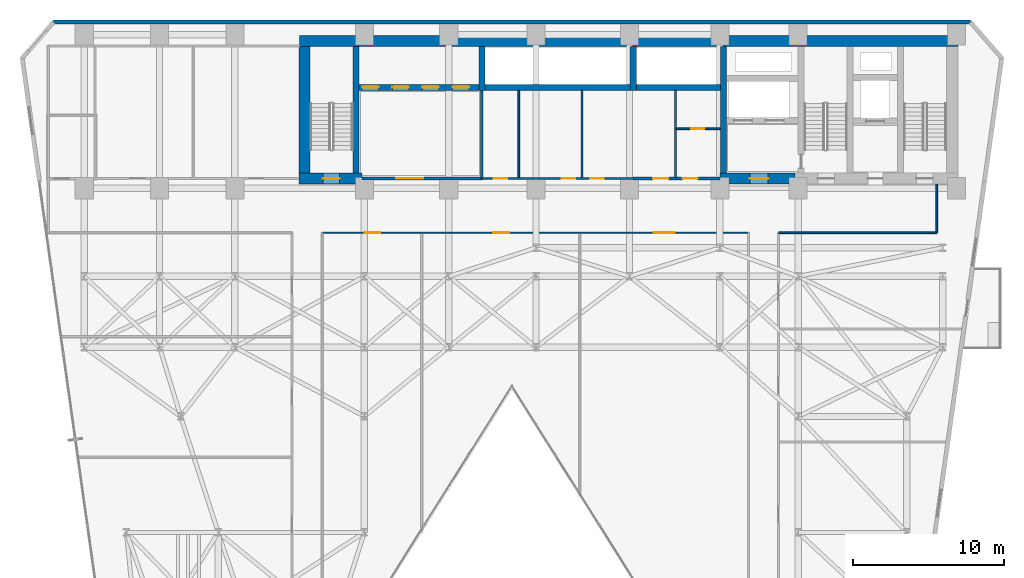
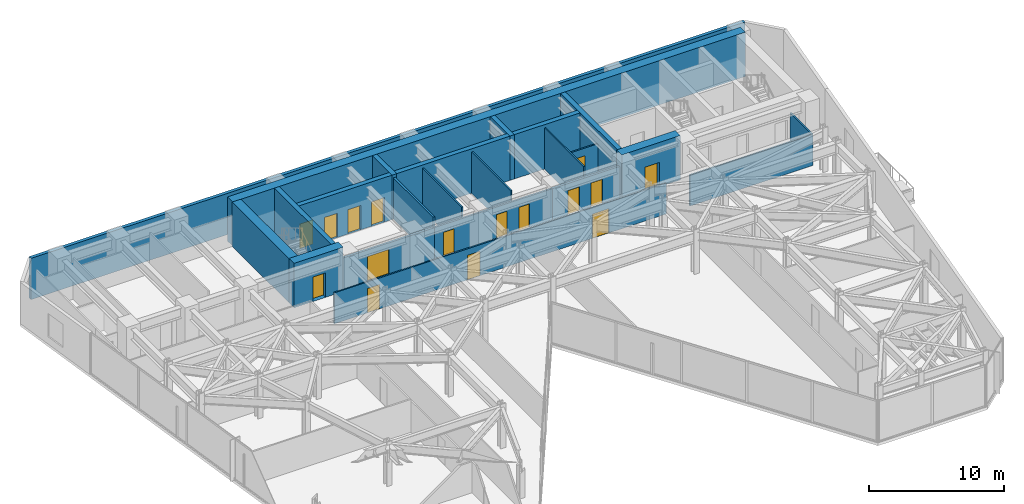
# One storey, part 20 of 25: 23 walls, 16 doors, 16 openings.
"""IFC4 building model written with IfcOpenShell, lengths in metres."""

from ifc_helpers import new_model, si_unit, direction, frame, frame_2d, origin, place, context, subcontext, project, spatial, rectangle, extrude, material, layer, layer_set, type_object, element, fill, save


model = new_model("IFC4")

# Units and contexts
model_context = context("Model", 3, precision=1e-05, world=origin(), true_north=direction((0.0, 1.0)))
body_context = subcontext(model_context, "Body", "Model", "MODEL_VIEW")
ifc_project = project(units=[si_unit("LENGTHUNIT", "METRE"), si_unit("AREAUNIT", "SQUARE_METRE"), si_unit("VOLUMEUNIT", "CUBIC_METRE"), si_unit("PLANEANGLEUNIT", "RADIAN"), si_unit("MASSUNIT", "GRAM", prefix="KILO")], contexts=[model_context])

# Site, building, storey
site_placement = place(None, origin())
site = spatial("IfcSite", under=ifc_project, at=site_placement, CompositionType="ELEMENT")
building_placement = place(site_placement, origin())
building = spatial("IfcBuilding", under=site, at=building_placement, Name="Kravanh Interchange Tower", CompositionType="ELEMENT")
storey_placement = place(building_placement, frame((0.0, 0.0, 81.5)))
storey = spatial("IfcBuildingStorey", under=building, at=storey_placement, Name="L19", CompositionType="ELEMENT", Elevation=81.5)

# Wall
ifc_material_1 = material(Name="Double Acoustic Gypsum Board and Mineral Wool")
ifc_layer_1 = layer(ifc_material_1, 0.1201171875)
ifc_layer_set_1 = layer_set([ifc_layer_1], Name="Acoustic Office Drywall Partition 120mm")
wall_type_1 = type_object("IfcWallType", Name="Acoustic Office Drywall Partition 120mm", PredefinedType="PARTITIONING", material=ifc_layer_set_1)
wall_1_placement = place(storey_placement, frame((47.85009765625, 38.068115234375, 0.0), z_axis=(0.0, 0.0, 1.0), x_axis=(0.0, 1.0, 0.0)))
element("IfcWall", 1, at=wall_1_placement, inside=storey, type_object=wall_type_1, Name="L19 Interior Partition 2", PredefinedType="PARTITIONING", context=body_context, shape_type="SweptSolid", body=[
    extrude(rectangle(XDim=5.77392578125, YDim=0.1201171875, at=frame_2d((2.886962890625, 0.0))), origin(), (0.0, 0.0, 1.0), 3.719970703125),
])

# Wall, opening, door
wall_2_placement = place(storey_placement, frame((47.91796875, 41.300048828125, 0.0), z_axis=(0.0, 0.0, 1.0), x_axis=(1.0, 0.0, 0.0)))
wall_2 = element("IfcWall", 2, at=wall_2_placement, inside=storey, type_object=wall_type_1, Name="L19 Interior Partition 3", PredefinedType="PARTITIONING", context=body_context, shape_type="SweptSolid", body=[
    extrude(rectangle(XDim=2.924072265625, YDim=0.1201171875, at=frame_2d((1.4619140625, 0.0))), origin(), (0.0, 0.0, 1.0), 2.79296875),
])
opening_1_placement = place(wall_2_placement, frame((0.9912109375, 0.0, 0.0)))
opening_1 = element("IfcOpeningElement", 3, at=opening_1_placement, cuts=wall_2, Name="Opening D-85", PredefinedType="OPENING", context=body_context, shape_type="SweptSolid", body=[
    extrude(rectangle(XDim=0.85009765625, YDim=2.10009765625, at=frame_2d((0.425048828125, 1.050048828125))), frame((0.0, 0.070068359375, 0.0), z_axis=(0.0, -1.0, 0.0), x_axis=(1.0, 0.0, 0.0)), (0.0, 0.0, 1.0), 0.14013671875),
])
ifc_material_2 = material(Name="Engineered Teak Veneer Timber", Category="wood")
door_type_1 = type_object("IfcDoorType", Name="En-Suite Timber Door 850x2100", OperationType="NOTDEFINED", PredefinedType="DOOR", material=ifc_material_2)
door_1_placement = place(opening_1_placement, origin())
door_1 = element("IfcDoor", 4, at=door_1_placement, inside=storey, type_object=door_type_1, Name="L19 Core Supply Inner Door", OperationType="SINGLE_SWING_LEFT", OverallHeight=2.10009765625, OverallWidth=0.85009765625, PredefinedType="DOOR", context=body_context, shape_type="SweptSolid", body=[
    extrude(rectangle(XDim=0.85009765625, YDim=2.10009765625, at=frame_2d((0.425048828125, 1.050048828125))), frame((0.0, 0.02490234375, 0.0), z_axis=(0.0, -1.0, 0.0), x_axis=(1.0, 0.0, 0.0)), (0.0, 0.0, 1.0), 0.050048828125),
])
fill(opening_1, door_1)

# Walls
for number, where, z_axis, x_axis, name in (
    (5, (37.449951171875, 38.068115234375, 0.0), (0.0, 0.0, 1.0), (0.0, 1.0, 0.0), "L19 Interior Partition 7"),
    (6, (41.64990234375, 38.068115234375, 0.0), (0.0, 0.0, 1.0), (0.0, 1.0, 0.0), "L19 Interior Partition 8"),
):
    element("IfcWall", number, at=place(storey_placement, frame(where, z_axis=z_axis, x_axis=x_axis)), inside=storey, type_object=wall_type_1, Name=name, PredefinedType="PARTITIONING", context=body_context, shape_type="SweptSolid", body=[
        extrude(rectangle(XDim=5.77392578125, YDim=0.1201171875, at=frame_2d((2.886962890625, 0.0))), origin(), (0.0, 0.0, 1.0), 3.719970703125),
    ])

# Wall, openings, doors
wall_3_placement = place(storey_placement, frame((24.39990234375, 34.39990234375, 0.0), z_axis=(0.0, 0.0, 1.0), x_axis=(1.0, 0.0, 0.0)))
wall_3 = element("IfcWall", 7, at=wall_3_placement, inside=storey, type_object=wall_type_1, Name="L19 Interior Partition 16", PredefinedType="PARTITIONING", context=body_context, shape_type="SweptSolid", body=[
    extrude(rectangle(XDim=28.300048828125, YDim=0.1201171875, at=frame_2d((14.14990234375, 0.0))), origin(), (0.0, 0.0, 1.0), 2.79296875),
])
opening_2_placement = place(wall_3_placement, frame((2.815185546875, 0.0, 0.0)))
opening_2 = element("IfcOpeningElement", 8, at=opening_2_placement, cuts=wall_3, Name="Opening D-105", PredefinedType="OPENING", context=body_context, shape_type="SweptSolid", body=[
    extrude(rectangle(XDim=1.050048828125, YDim=2.199951171875, at=frame_2d((0.52490234375, 1.10009765625))), frame((0.0, 0.070068359375, 0.0), z_axis=(0.0, -1.0, 0.0), x_axis=(1.0, 0.0, 0.0)), (0.0, 0.0, 1.0), 0.14013671875),
])
opening_3_placement = place(wall_3_placement, frame((11.365234375, 0.0, 0.0)))
opening_3 = element("IfcOpeningElement", 9, at=opening_3_placement, cuts=wall_3, Name="Opening D-105", PredefinedType="OPENING", context=body_context, shape_type="SweptSolid", body=[
    extrude(rectangle(XDim=1.050048828125, YDim=2.199951171875, at=frame_2d((0.52490234375, 1.10009765625))), frame((0.0, 0.070068359375, 0.0), z_axis=(0.0, -1.0, 0.0), x_axis=(1.0, 0.0, 0.0)), (0.0, 0.0, 1.0), 0.14013671875),
])
opening_4_placement = place(wall_3_placement, frame((22.0, 0.0, 0.0)))
opening_4 = element("IfcOpeningElement", 10, at=opening_4_placement, cuts=wall_3, Name="Opening DBL-140", PredefinedType="OPENING", context=body_context, shape_type="SweptSolid", body=[
    extrude(rectangle(XDim=1.39990234375, YDim=2.199951171875, at=frame_2d((0.699951171875, 1.10009765625))), frame((0.0, 0.070068359375, 0.0), z_axis=(0.0, -1.0, 0.0), x_axis=(1.0, 0.0, 0.0)), (0.0, 0.0, 1.0), 0.14013671875),
])
ifc_material_3 = material(Name="Acoustic Bronze-Framed Glass", Category="glass")
door_type_2 = type_object("IfcDoorType", Name="Hospitality Lounge Double Door 1400x2200", OperationType="DOUBLE_DOOR_SINGLE_SWING", PredefinedType="DOOR", material=ifc_material_3)
door_2_placement = place(opening_4_placement, origin())
door_2 = element("IfcDoor", 11, at=door_2_placement, inside=storey, type_object=door_type_2, Name="L19 Community Kitchenette Door", OperationType="DOUBLE_DOOR_SINGLE_SWING", OverallHeight=2.199951171875, OverallWidth=1.39990234375, PredefinedType="DOOR", context=body_context, shape_type="SweptSolid", body=[
    extrude(rectangle(XDim=1.39990234375, YDim=2.199951171875, at=frame_2d((0.699951171875, 1.10009765625))), frame((0.0, 0.02490234375, 0.0), z_axis=(0.0, -1.0, 0.0), x_axis=(1.0, 0.0, 0.0)), (0.0, 0.0, 1.0), 0.050048828125),
])
fill(opening_4, door_2)
ifc_material_4 = material(Name="Acoustic Glazed Oak and Aluminium", Category="aluminium")
door_type_3 = type_object("IfcDoorType", Name="Office Workplace Door 1050x2200", OperationType="NOTDEFINED", PredefinedType="DOOR", material=ifc_material_4)
door_3_placement = place(opening_2_placement, origin())
door_3 = element("IfcDoor", 12, at=door_3_placement, inside=storey, type_object=door_type_3, Name="L19 Incubator Commons Lounge Door", OperationType="SINGLE_SWING_RIGHT", OverallHeight=2.199951171875, OverallWidth=1.050048828125, PredefinedType="DOOR", context=body_context, shape_type="SweptSolid", body=[
    extrude(rectangle(XDim=1.050048828125, YDim=2.199951171875, at=frame_2d((0.52490234375, 1.10009765625))), frame((0.0, 0.02490234375, 0.0), z_axis=(0.0, -1.0, 0.0), x_axis=(1.0, 0.0, 0.0)), (0.0, 0.0, 1.0), 0.050048828125),
])
fill(opening_2, door_3)
door_4_placement = place(opening_3_placement, origin())
door_4 = element("IfcDoor", 13, at=door_4_placement, inside=storey, type_object=door_type_3, Name="L19 Portfolio Office Door", OperationType="SINGLE_SWING_LEFT", OverallHeight=2.199951171875, OverallWidth=1.050048828125, PredefinedType="DOOR", context=body_context, shape_type="SweptSolid", body=[
    extrude(rectangle(XDim=1.050048828125, YDim=2.199951171875, at=frame_2d((0.52490234375, 1.10009765625))), frame((0.0, 0.02490234375, 0.0), z_axis=(0.0, -1.0, 0.0), x_axis=(1.0, 0.0, 0.0)), (0.0, 0.0, 1.0), 0.050048828125),
])
fill(opening_3, door_4)

# Walls
wall_4_placement = place(storey_placement, frame((54.699951171875, 34.39990234375, 0.0), z_axis=(0.0, 0.0, 1.0), x_axis=(1.0, 0.0, 0.0)))
element("IfcWall", 14, at=wall_4_placement, inside=storey, type_object=wall_type_1, Name="L19 Interior Partition 17", PredefinedType="PARTITIONING", context=body_context, shape_type="SweptSolid", body=[
    extrude(rectangle(XDim=10.5, YDim=0.1201171875, at=frame_2d((5.25, 0.0))), origin(), (0.0, 0.0, 1.0), 2.79296875),
])
wall_5_placement = place(storey_placement, frame((65.199951171875, 34.39990234375, 0.0), z_axis=(0.0, 0.0, 1.0), x_axis=(0.0, 1.0, 0.0)))
element("IfcWall", 15, at=wall_5_placement, inside=storey, type_object=wall_type_1, Name="L19 Interior Partition 19", PredefinedType="PARTITIONING", context=body_context, shape_type="SweptSolid", body=[
    extrude(rectangle(XDim=3.217041015625, YDim=0.1201171875, at=frame_2d((1.6083984375, 0.0))), origin(), (0.0, 0.0, 1.0), 2.79296875),
])
ifc_material_5 = material(Name="Concrete C80/95", Category="concrete")
ifc_layer_2 = layer(ifc_material_5, 0.39990234375)
ifc_layer_set_2 = layer_set([ifc_layer_2], Name="Core Shear Wall Concrete C80/95 400mm")
wall_type_2 = type_object("IfcWallType", Name="Core Shear Wall Concrete C80/95 400mm", PredefinedType="SHEAR", material=ifc_layer_set_2)
wall_6_placement = place(storey_placement, frame((51.050048828125, 38.375, 0.0), z_axis=(0.0, 0.0, 1.0), x_axis=(0.0, 1.0, 0.0)))
element("IfcWall", 16, at=wall_6_placement, inside=storey, type_object=wall_type_2, Name="L19 Firefighting Lobby West Wall", PredefinedType="SHEAR", context=body_context, shape_type="SweptSolid", body=[
    extrude(rectangle(XDim=8.375, YDim=0.39990234375, at=frame_2d((4.1875, 0.0))), origin(), (0.0, 0.0, 1.0), 4.0),
])
wall_7_placement = place(storey_placement, frame((45.25, 44.050048828125, 0.0), z_axis=(0.0, 0.0, 1.0), x_axis=(1.0, 0.0, 0.0)))
element("IfcWall", 17, at=wall_7_placement, inside=storey, type_object=wall_type_2, Name="L19 High-Rise Lift Shaft South Wall", PredefinedType="SHEAR", context=body_context, shape_type="SweptSolid", body=[
    extrude(rectangle(XDim=5.60009765625, YDim=0.39990234375, at=frame_2d((2.800048828125, 0.0))), origin(), (0.0, 0.0, 1.0), 4.0),
])
wall_8_placement = place(storey_placement, frame((45.050048828125, 43.85009765625, 0.0), z_axis=(0.0, 0.0, 1.0), x_axis=(0.0, 1.0, 0.0)))
element("IfcWall", 18, at=wall_8_placement, inside=storey, type_object=wall_type_2, Name="L19 High-Rise Lift Shaft West Wall", PredefinedType="SHEAR", context=body_context, shape_type="SweptSolid", body=[
    extrude(rectangle(XDim=2.89990234375, YDim=0.39990234375, at=frame_2d((1.449951171875, 0.0))), origin(), (0.0, 0.0, 1.0), 4.0),
])
wall_9_placement = place(storey_placement, frame((35.199951171875, 44.050048828125, 0.0), z_axis=(0.0, 0.0, 1.0), x_axis=(1.0, 0.0, 0.0)))
element("IfcWall", 19, at=wall_9_placement, inside=storey, type_object=wall_type_2, Name="L19 Mid-Rise Lift Shaft South Wall", PredefinedType="SHEAR", context=body_context, shape_type="SweptSolid", body=[
    extrude(rectangle(XDim=9.650146484375, YDim=0.39990234375, at=frame_2d((4.8251953125, 0.0))), origin(), (0.0, 0.0, 1.0), 4.0),
])
wall_10_placement = place(storey_placement, frame((35.0, 43.85009765625, 0.0), z_axis=(0.0, 0.0, 1.0), x_axis=(0.0, 1.0, 0.0)))
element("IfcWall", 20, at=wall_10_placement, inside=storey, type_object=wall_type_2, Name="L19 Mid-Rise Lift Shaft West Wall", PredefinedType="SHEAR", context=body_context, shape_type="SweptSolid", body=[
    extrude(rectangle(XDim=2.89990234375, YDim=0.39990234375, at=frame_2d((1.449951171875, 0.0))), origin(), (0.0, 0.0, 1.0), 4.0),
])

# Wall, openings, doors
wall_11_placement = place(storey_placement, frame((26.85009765625, 44.050048828125, 0.0), z_axis=(0.0, 0.0, 1.0), x_axis=(1.0, 0.0, 0.0)))
wall_11 = element("IfcWall", 21, at=wall_11_placement, inside=storey, type_object=wall_type_2, Name="L19 Low-Rise Lift Shaft South Wall", PredefinedType="SHEAR", context=body_context, shape_type="SweptSolid", body=[
    extrude(rectangle(XDim=7.949951171875, YDim=0.39990234375, at=frame_2d((3.97509765625, 0.0))), origin(), (0.0, 0.0, 1.0), 4.0),
])
opening_5_placement = place(wall_11_placement, frame((0.199951171875, 0.0, 0.0)))
opening_5 = element("IfcOpeningElement", 22, at=opening_5_placement, cuts=wall_11, Name="Opening LD01", PredefinedType="OPENING", context=body_context, shape_type="SweptSolid", body=[
    extrude(rectangle(XDim=1.10009765625, YDim=2.199951171875, at=frame_2d((0.550048828125, 1.10009765625))), frame((0.0, 0.2099609375, 0.0), z_axis=(0.0, -1.0, 0.0), x_axis=(1.0, 0.0, 0.0)), (0.0, 0.0, 1.0), 0.419921875),
])
opening_6_placement = place(wall_11_placement, frame((2.199951171875, 0.0, 0.0)))
opening_6 = element("IfcOpeningElement", 23, at=opening_6_placement, cuts=wall_11, Name="Opening LD01", PredefinedType="OPENING", context=body_context, shape_type="SweptSolid", body=[
    extrude(rectangle(XDim=1.10009765625, YDim=2.199951171875, at=frame_2d((0.550048828125, 1.10009765625))), frame((0.0, 0.2099609375, 0.0), z_axis=(0.0, -1.0, 0.0), x_axis=(1.0, 0.0, 0.0)), (0.0, 0.0, 1.0), 0.419921875),
])
opening_7_placement = place(wall_11_placement, frame((4.199951171875, 0.0, 0.0)))
opening_7 = element("IfcOpeningElement", 24, at=opening_7_placement, cuts=wall_11, Name="Opening LD01", PredefinedType="OPENING", context=body_context, shape_type="SweptSolid", body=[
    extrude(rectangle(XDim=1.10009765625, YDim=2.199951171875, at=frame_2d((0.550048828125, 1.10009765625))), frame((0.0, 0.2099609375, 0.0), z_axis=(0.0, -1.0, 0.0), x_axis=(1.0, 0.0, 0.0)), (0.0, 0.0, 1.0), 0.419921875),
])
opening_8_placement = place(wall_11_placement, frame((6.199951171875, 0.0, 0.0)))
opening_8 = element("IfcOpeningElement", 25, at=opening_8_placement, cuts=wall_11, Name="Opening LD01", PredefinedType="OPENING", context=body_context, shape_type="SweptSolid", body=[
    extrude(rectangle(XDim=1.10009765625, YDim=2.199951171875, at=frame_2d((0.550048828125, 1.10009765625))), frame((0.0, 0.2099609375, 0.0), z_axis=(0.0, -1.0, 0.0), x_axis=(1.0, 0.0, 0.0)), (0.0, 0.0, 1.0), 0.419921875),
])
ifc_material_6 = material(Name="Stainless Steel 304", Category="steel")
door_type_4 = type_object("IfcDoorType", Name="Passenger Lift Sliding Landing Door 1100x2200", OperationType="DOUBLE_DOOR_SLIDING", PredefinedType="DOOR", material=ifc_material_6)
door_5_placement = place(opening_5_placement, origin())
door_5 = element("IfcDoor", 26, at=door_5_placement, inside=storey, type_object=door_type_4, Name="L19 Lift LP-L1 Landing Door", OperationType="DOUBLE_DOOR_SLIDING", OverallHeight=2.199951171875, OverallWidth=1.10009765625, PredefinedType="DOOR", context=body_context, shape_type="SweptSolid", body=[
    extrude(rectangle(XDim=1.10009765625, YDim=2.199951171875, at=frame_2d((0.550048828125, 1.10009765625))), frame((0.0, 0.02490234375, 0.0), z_axis=(0.0, -1.0, 0.0), x_axis=(1.0, 0.0, 0.0)), (0.0, 0.0, 1.0), 0.050048828125),
])
fill(opening_5, door_5)
door_6_placement = place(opening_6_placement, origin())
door_6 = element("IfcDoor", 27, at=door_6_placement, inside=storey, type_object=door_type_4, Name="L19 Lift LP-L2 Landing Door", OperationType="DOUBLE_DOOR_SLIDING", OverallHeight=2.199951171875, OverallWidth=1.10009765625, PredefinedType="DOOR", context=body_context, shape_type="SweptSolid", body=[
    extrude(rectangle(XDim=1.10009765625, YDim=2.199951171875, at=frame_2d((0.550048828125, 1.10009765625))), frame((0.0, 0.02490234375, 0.0), z_axis=(0.0, -1.0, 0.0), x_axis=(1.0, 0.0, 0.0)), (0.0, 0.0, 1.0), 0.050048828125),
])
fill(opening_6, door_6)
door_7_placement = place(opening_7_placement, origin())
door_7 = element("IfcDoor", 28, at=door_7_placement, inside=storey, type_object=door_type_4, Name="L19 Lift LP-L3 Landing Door", OperationType="DOUBLE_DOOR_SLIDING", OverallHeight=2.199951171875, OverallWidth=1.10009765625, PredefinedType="DOOR", context=body_context, shape_type="SweptSolid", body=[
    extrude(rectangle(XDim=1.10009765625, YDim=2.199951171875, at=frame_2d((0.550048828125, 1.10009765625))), frame((0.0, 0.02490234375, 0.0), z_axis=(0.0, -1.0, 0.0), x_axis=(1.0, 0.0, 0.0)), (0.0, 0.0, 1.0), 0.050048828125),
])
fill(opening_7, door_7)
door_8_placement = place(opening_8_placement, origin())
door_8 = element("IfcDoor", 29, at=door_8_placement, inside=storey, type_object=door_type_4, Name="L19 Lift LP-L4 Landing Door", OperationType="DOUBLE_DOOR_SLIDING", OverallHeight=2.199951171875, OverallWidth=1.10009765625, PredefinedType="DOOR", context=body_context, shape_type="SweptSolid", body=[
    extrude(rectangle(XDim=1.10009765625, YDim=2.199951171875, at=frame_2d((0.550048828125, 1.10009765625))), frame((0.0, 0.02490234375, 0.0), z_axis=(0.0, -1.0, 0.0), x_axis=(1.0, 0.0, 0.0)), (0.0, 0.0, 1.0), 0.050048828125),
])
fill(opening_8, door_8)

# Walls
wall_12_placement = place(storey_placement, frame((26.64990234375, 38.375, 0.0), z_axis=(0.0, 0.0, 1.0), x_axis=(0.0, 1.0, 0.0)))
element("IfcWall", 30, at=wall_12_placement, inside=storey, type_object=wall_type_2, Name="L19 Stair ST3 East Shear Wall", PredefinedType="SHEAR", context=body_context, shape_type="SweptSolid", body=[
    extrude(rectangle(XDim=8.375, YDim=0.39990234375, at=frame_2d((4.1875, 0.0))), origin(), (0.0, 0.0, 1.0), 4.0),
])
ifc_material_7 = material(Name="Concrete C80/95", Category="concrete")
ifc_layer_3 = layer(ifc_material_7, 0.75)
ifc_layer_set_3 = layer_set([ifc_layer_3], Name="Core Shear Wall Concrete C80/95 750mm")
wall_type_3 = type_object("IfcWallType", Name="Core Shear Wall Concrete C80/95 750mm", PredefinedType="SHEAR", material=ifc_layer_set_3)
wall_13_placement = place(storey_placement, frame((22.89990234375, 47.125, 0.0), z_axis=(0.0, 0.0, 1.0), x_axis=(1.0, 0.0, 0.0)))
element("IfcWall", 31, at=wall_13_placement, inside=storey, type_object=wall_type_3, Name="L19 North Core Shear Wall", PredefinedType="SHEAR", context=body_context, shape_type="SweptSolid", body=[
    extrude(rectangle(XDim=43.7001953125, YDim=0.75, at=frame_2d((21.85009765625, 0.0))), origin(), (0.0, 0.0, 1.0), 4.0),
])

# Wall, opening, door
wall_14_placement = place(storey_placement, frame((50.800048828125, 38.0, 0.0), z_axis=(0.0, 0.0, 1.0), x_axis=(1.0, 0.0, 0.0)))
wall_14 = element("IfcWall", 32, at=wall_14_placement, inside=storey, type_object=wall_type_3, Name="L19 Firefighting Lobby South Shear Wall", PredefinedType="SHEAR", context=body_context, shape_type="SweptSolid", body=[
    extrude(rectangle(XDim=5.0, YDim=0.75, at=frame_2d((2.5, 0.0))), origin(), (0.0, 0.0, 1.0), 4.0),
])
opening_9_placement = place(wall_14_placement, frame((2.0, 0.0, 0.0)))
opening_9 = element("IfcOpeningElement", 33, at=opening_9_placement, cuts=wall_14, Name="Opening D-FSAE-120", PredefinedType="OPENING", context=body_context, shape_type="SweptSolid", body=[
    extrude(rectangle(XDim=1.199951171875, YDim=2.199951171875, at=frame_2d((0.60009765625, 1.10009765625))), frame((0.0, 0.385009765625, 0.0), z_axis=(0.0, -1.0, 0.0), x_axis=(1.0, 0.0, 0.0)), (0.0, 0.0, 1.0), 0.77001953125),
])
ifc_material_8 = material(Name="Structural Steel S355", Category="steel")
door_type_5 = type_object("IfcDoorType", Name="Fire-Rated Refuge and FSAE Door 1200x2200", OperationType="NOTDEFINED", PredefinedType="DOOR", material=ifc_material_8)
door_9_placement = place(opening_9_placement, origin())
door_9 = element("IfcDoor", 34, at=door_9_placement, inside=storey, type_object=door_type_5, Name="L19 Firefighting Lobby Corridor Door", OperationType="SINGLE_SWING_RIGHT", OverallHeight=2.199951171875, OverallWidth=1.199951171875, PredefinedType="DOOR", context=body_context, shape_type="SweptSolid", body=[
    extrude(rectangle(XDim=1.199951171875, YDim=2.199951171875, at=frame_2d((0.60009765625, 1.10009765625))), frame((0.0, 0.02490234375, 0.0), z_axis=(0.0, -1.0, 0.0), x_axis=(1.0, 0.0, 0.0)), (0.0, 0.0, 1.0), 0.050048828125),
])
fill(opening_9, door_9)

wall_15_placement = place(storey_placement, frame((22.85009765625, 38.0, 0.0), z_axis=(0.0, 0.0, 1.0), x_axis=(1.0, 0.0, 0.0)))
wall_15 = element("IfcWall", 35, at=wall_15_placement, inside=storey, type_object=wall_type_3, Name="L19 Stair ST3 South Shear Wall", PredefinedType="SHEAR", context=body_context, shape_type="SweptSolid", body=[
    extrude(rectangle(XDim=4.199951171875, YDim=0.75, at=frame_2d((2.10009765625, 0.0))), origin(), (0.0, 0.0, 1.0), 4.0),
])
opening_10_placement = place(wall_15_placement, frame((1.60009765625, 0.0, 0.0)))
opening_10 = element("IfcOpeningElement", 36, at=opening_10_placement, cuts=wall_15, Name="Opening D-STAIR-110", PredefinedType="OPENING", context=body_context, shape_type="SweptSolid", body=[
    extrude(rectangle(XDim=1.10009765625, YDim=2.199951171875, at=frame_2d((0.550048828125, 1.10009765625))), frame((0.0, 0.385009765625, 0.0), z_axis=(0.0, -1.0, 0.0), x_axis=(1.0, 0.0, 0.0)), (0.0, 0.0, 1.0), 0.77001953125),
])
ifc_material_9 = material(Name="Structural Steel S355", Category="steel")
door_type_6 = type_object("IfcDoorType", Name="Fire-Rated Exit Stair Door 1100x2200", OperationType="NOTDEFINED", PredefinedType="DOOR", material=ifc_material_9)
door_10_placement = place(opening_10_placement, origin())
door_10 = element("IfcDoor", 37, at=door_10_placement, inside=storey, type_object=door_type_6, Name="L19 Exit Stair ST3 Door", OperationType="SINGLE_SWING_RIGHT", OverallHeight=2.199951171875, OverallWidth=1.10009765625, PredefinedType="DOOR", context=body_context, shape_type="SweptSolid", body=[
    extrude(rectangle(XDim=1.10009765625, YDim=2.199951171875, at=frame_2d((0.550048828125, 1.10009765625))), frame((0.0, 0.02490234375, 0.0), z_axis=(0.0, -1.0, 0.0), x_axis=(1.0, 0.0, 0.0)), (0.0, 0.0, 1.0), 0.050048828125),
])
fill(opening_10, door_10)

# Walls
wall_16_placement = place(storey_placement, frame((23.22509765625, 38.375, 0.0), z_axis=(0.0, 0.0, 1.0), x_axis=(0.0, 1.0, 0.0)))
element("IfcWall", 38, at=wall_16_placement, inside=storey, type_object=wall_type_3, Name="L19 Stair ST3 West Shear Wall", PredefinedType="SHEAR", context=body_context, shape_type="SweptSolid", body=[
    extrude(rectangle(XDim=8.375, YDim=0.75, at=frame_2d((4.1875, 0.0))), origin(), (0.0, 0.0, 1.0), 4.0),
])
ifc_material_10 = material(Name="Insulated Precast Concrete C40/50 with Bronze Cladding", Category="concrete")
ifc_layer_4 = layer(ifc_material_10, 0.280029296875)
ifc_layer_set_4 = layer_set([ifc_layer_4], Name="Exterior Insulated Concrete C40/50 Bronze Spandrel Wall 280mm")
wall_type_4 = type_object("IfcWallType", Name="Exterior Insulated Concrete C40/50 Bronze Spandrel Wall 280mm", PredefinedType="STANDARD", material=ifc_layer_set_4)
wall_17_placement = place(storey_placement, frame((6.5546875, 48.3798828125, 0.0), z_axis=(0.0, 0.0, 1.0), x_axis=(1.0, 0.0, 0.0)))
element("IfcWall", 39, at=wall_17_placement, inside=storey, type_object=wall_type_4, Name="L19 Exterior Wall 3", PredefinedType="STANDARD", context=body_context, shape_type="SweptSolid", body=[
    extrude(rectangle(XDim=60.890625, YDim=0.280029296875, at=frame_2d((30.4453125, 0.0))), origin(), (0.0, 0.0, 1.0), 3.719970703125),
])

# Wall, openings, doors
ifc_material_11 = material(Name="Autoclaved Aerated Concrete C30/37 Blockwork", Category="masonry")
ifc_layer_5 = layer(ifc_material_11, 0.179931640625)
ifc_layer_set_5 = layer_set([ifc_layer_5], Name="Fire-Rated Lobby and Corridor Wall Concrete C30/37 180mm")
wall_type_5 = type_object("IfcWallType", Name="Fire-Rated Lobby and Corridor Wall Concrete C30/37 180mm", PredefinedType="STANDARD", material=ifc_layer_set_5)
wall_18_placement = place(storey_placement, frame((45.050048828125, 38.0, 0.0), z_axis=(0.0, 0.0, 1.0), x_axis=(1.0, 0.0, 0.0)))
wall_18 = element("IfcWall", 40, at=wall_18_placement, inside=storey, type_object=wall_type_5, Name="L19 Core South Enclosure 1", PredefinedType="STANDARD", context=body_context, shape_type="SweptSolid", body=[
    extrude(rectangle(XDim=5.75, YDim=0.179931640625, at=frame_2d((2.875, 0.0))), origin(), (0.0, 0.0, 1.0), 2.79296875),
])
opening_11_placement = place(wall_18_placement, frame((1.324951171875, 0.0, 0.0)))
opening_11 = element("IfcOpeningElement", 41, at=opening_11_placement, cuts=wall_18, Name="Opening D-HOTEL-100", PredefinedType="OPENING", context=body_context, shape_type="SweptSolid", body=[
    extrude(rectangle(XDim=1.0, YDim=2.14990234375, at=frame_2d((0.5, 1.074951171875))), frame((0.0, 0.10009765625, 0.0), z_axis=(0.0, -1.0, 0.0), x_axis=(1.0, 0.0, 0.0)), (0.0, 0.0, 1.0), 0.199951171875),
])
opening_12_placement = place(wall_18_placement, frame((3.27490234375, 0.0, 0.0)))
opening_12 = element("IfcOpeningElement", 42, at=opening_12_placement, cuts=wall_18, Name="Opening D-HOTEL-100", PredefinedType="OPENING", context=body_context, shape_type="SweptSolid", body=[
    extrude(rectangle(XDim=1.0, YDim=2.14990234375, at=frame_2d((0.5, 1.074951171875))), frame((0.0, 0.10009765625, 0.0), z_axis=(0.0, -1.0, 0.0), x_axis=(1.0, 0.0, 0.0)), (0.0, 0.0, 1.0), 0.199951171875),
])
ifc_material_12 = material(Name="Fire-Rated Solid Timber Leaf", Category="wood")
door_type_7 = type_object("IfcDoorType", Name="Fire-Rated Suite Entrance Door 1000x2150", OperationType="NOTDEFINED", PredefinedType="DOOR", material=ifc_material_12)
door_11_placement = place(opening_11_placement, origin())
door_11 = element("IfcDoor", 43, at=door_11_placement, inside=storey, type_object=door_type_7, Name="L19 Core Metering Door", OperationType="SINGLE_SWING_LEFT", OverallHeight=2.14990234375, OverallWidth=1.0, PredefinedType="DOOR", context=body_context, shape_type="SweptSolid", body=[
    extrude(rectangle(XDim=1.0, YDim=2.14990234375, at=frame_2d((0.5, 1.074951171875))), frame((0.0, 0.02490234375, 0.0), z_axis=(0.0, -1.0, 0.0), x_axis=(1.0, 0.0, 0.0)), (0.0, 0.0, 1.0), 0.050048828125),
])
fill(opening_11, door_11)
door_12_placement = place(opening_12_placement, origin())
door_12 = element("IfcDoor", 44, at=door_12_placement, inside=storey, type_object=door_type_7, Name="L19 Core Copy Room Door", OperationType="SINGLE_SWING_RIGHT", OverallHeight=2.14990234375, OverallWidth=1.0, PredefinedType="DOOR", context=body_context, shape_type="SweptSolid", body=[
    extrude(rectangle(XDim=1.0, YDim=2.14990234375, at=frame_2d((0.5, 1.074951171875))), frame((0.0, 0.02490234375, 0.0), z_axis=(0.0, -1.0, 0.0), x_axis=(1.0, 0.0, 0.0)), (0.0, 0.0, 1.0), 0.050048828125),
])
fill(opening_12, door_12)

# Wall
wall_19_placement = place(storey_placement, frame((35.0, 38.0, 0.0), z_axis=(0.0, 0.0, 1.0), x_axis=(0.0, 1.0, 0.0)))
element("IfcWall", 45, at=wall_19_placement, inside=storey, type_object=wall_type_5, Name="L19 Low-Rise Lobby East Wall 4", PredefinedType="STANDARD", context=body_context, shape_type="SweptSolid", body=[
    extrude(rectangle(XDim=5.85009765625, YDim=0.179931640625, at=frame_2d((2.925048828125, 0.0))), origin(), (0.0, 0.0, 1.0), 3.719970703125),
])

# Wall, opening, door
wall_20_placement = place(storey_placement, frame((27.050048828125, 38.0, 0.0), z_axis=(0.0, 0.0, 1.0), x_axis=(1.0, 0.0, 0.0)))
wall_20 = element("IfcWall", 46, at=wall_20_placement, inside=storey, type_object=wall_type_5, Name="L19 Low-Rise Lobby South Wall 5", PredefinedType="STANDARD", context=body_context, shape_type="SweptSolid", body=[
    extrude(rectangle(XDim=7.949951171875, YDim=0.179931640625, at=frame_2d((3.97509765625, 0.0))), origin(), (0.0, 0.0, 1.0), 2.79296875),
])
opening_13_placement = place(wall_20_placement, frame((2.25, 0.0, 0.0)))
opening_13 = element("IfcOpeningElement", 47, at=opening_13_placement, cuts=wall_20, Name="Opening DBL-180", PredefinedType="OPENING", context=body_context, shape_type="SweptSolid", body=[
    extrude(rectangle(XDim=1.800048828125, YDim=2.199951171875, at=frame_2d((0.89990234375, 1.10009765625))), frame((0.0, 0.10009765625, 0.0), z_axis=(0.0, -1.0, 0.0), x_axis=(1.0, 0.0, 0.0)), (0.0, 0.0, 1.0), 0.199951171875),
])
ifc_material_13 = material(Name="Structural Steel S355", Category="steel")
door_type_8 = type_object("IfcDoorType", Name="Lift Lobby Double Fire Door 1800x2200", OperationType="DOUBLE_DOOR_SINGLE_SWING", PredefinedType="DOOR", material=ifc_material_13)
door_13_placement = place(opening_13_placement, origin())
door_13 = element("IfcDoor", 48, at=door_13_placement, inside=storey, type_object=door_type_8, Name="L19 Low-Rise Lift Lobby Door", OperationType="DOUBLE_DOOR_SINGLE_SWING", OverallHeight=2.199951171875, OverallWidth=1.800048828125, PredefinedType="DOOR", context=body_context, shape_type="SweptSolid", body=[
    extrude(rectangle(XDim=1.800048828125, YDim=2.199951171875, at=frame_2d((0.89990234375, 1.10009765625))), frame((0.0, 0.02490234375, 0.0), z_axis=(0.0, -1.0, 0.0), x_axis=(1.0, 0.0, 0.0)), (0.0, 0.0, 1.0), 0.050048828125),
])
fill(opening_13, door_13)

# Wall, openings, doors
ifc_material_14 = material(Name="Twin Stud Acoustic Gypsum Board Wall")
ifc_layer_6 = layer(ifc_material_14, 0.14990234375)
ifc_layer_set_6 = layer_set([ifc_layer_6], Name="Medium-Duty Acoustic Partition 150mm")
wall_type_6 = type_object("IfcWallType", Name="Medium-Duty Acoustic Partition 150mm", PredefinedType="PARTITIONING", material=ifc_layer_set_6)
wall_21_placement = place(storey_placement, frame((35.0, 38.0, 0.0), z_axis=(0.0, 0.0, 1.0), x_axis=(1.0, 0.0, 0.0)))
wall_21 = element("IfcWall", 49, at=wall_21_placement, inside=storey, type_object=wall_type_6, Name="L19 Core Support South Wall 6", PredefinedType="PARTITIONING", context=body_context, shape_type="SweptSolid", body=[
    extrude(rectangle(XDim=10.050048828125, YDim=0.14990234375, at=frame_2d((5.02490234375, 0.0))), origin(), (0.0, 0.0, 1.0), 2.79296875),
])
opening_14_placement = place(wall_21_placement, frame((0.78466796875, 0.0, 0.0)))
opening_14 = element("IfcOpeningElement", 50, at=opening_14_placement, cuts=wall_21, Name="Opening D-90", PredefinedType="OPENING", context=body_context, shape_type="SweptSolid", body=[
    extrude(rectangle(XDim=0.89990234375, YDim=2.10009765625, at=frame_2d((0.449951171875, 1.050048828125))), frame((0.0, 0.0849609375, 0.0), z_axis=(0.0, -1.0, 0.0), x_axis=(1.0, 0.0, 0.0)), (0.0, 0.0, 1.0), 0.169921875),
])
opening_15_placement = place(wall_21_placement, frame((5.300048828125, 0.0, 0.0)))
opening_15 = element("IfcOpeningElement", 51, at=opening_15_placement, cuts=wall_21, Name="Opening D-90", PredefinedType="OPENING", context=body_context, shape_type="SweptSolid", body=[
    extrude(rectangle(XDim=0.89990234375, YDim=2.10009765625, at=frame_2d((0.449951171875, 1.050048828125))), frame((0.0, 0.0849609375, 0.0), z_axis=(0.0, -1.0, 0.0), x_axis=(1.0, 0.0, 0.0)), (0.0, 0.0, 1.0), 0.169921875),
])
opening_16_placement = place(wall_21_placement, frame((7.199951171875, 0.0, 0.0)))
opening_16 = element("IfcOpeningElement", 52, at=opening_16_placement, cuts=wall_21, Name="Opening D-90", PredefinedType="OPENING", context=body_context, shape_type="SweptSolid", body=[
    extrude(rectangle(XDim=0.89990234375, YDim=2.10009765625, at=frame_2d((0.449951171875, 1.050048828125))), frame((0.0, 0.0849609375, 0.0), z_axis=(0.0, -1.0, 0.0), x_axis=(1.0, 0.0, 0.0)), (0.0, 0.0, 1.0), 0.169921875),
])
ifc_material_15 = material(Name="Painted Solid-Core Timber", Category="wood")
door_type_9 = type_object("IfcDoorType", Name="Service Room Door 900x2100", OperationType="NOTDEFINED", PredefinedType="DOOR", material=ifc_material_15)
door_14_placement = place(opening_14_placement, origin())
door_14 = element("IfcDoor", 53, at=door_14_placement, inside=storey, type_object=door_type_9, Name="L19 IDF Closet Door", OperationType="SINGLE_SWING_RIGHT", OverallHeight=2.10009765625, OverallWidth=0.89990234375, PredefinedType="DOOR", context=body_context, shape_type="SweptSolid", body=[
    extrude(rectangle(XDim=0.89990234375, YDim=2.10009765625, at=frame_2d((0.449951171875, 1.050048828125))), frame((0.0, 0.02490234375, 0.0), z_axis=(0.0, -1.0, 0.0), x_axis=(1.0, 0.0, 0.0)), (0.0, 0.0, 1.0), 0.050048828125),
])
fill(opening_14, door_14)
door_15_placement = place(opening_15_placement, origin())
door_15 = element("IfcDoor", 54, at=door_15_placement, inside=storey, type_object=door_type_9, Name="L19 AHU Fan Room Door", OperationType="SINGLE_SWING_LEFT", OverallHeight=2.10009765625, OverallWidth=0.89990234375, PredefinedType="DOOR", context=body_context, shape_type="SweptSolid", body=[
    extrude(rectangle(XDim=0.89990234375, YDim=2.10009765625, at=frame_2d((0.449951171875, 1.050048828125))), frame((0.0, 0.02490234375, 0.0), z_axis=(0.0, -1.0, 0.0), x_axis=(1.0, 0.0, 0.0)), (0.0, 0.0, 1.0), 0.050048828125),
])
fill(opening_15, door_15)
door_16_placement = place(opening_16_placement, origin())
door_16 = element("IfcDoor", 55, at=door_16_placement, inside=storey, type_object=door_type_9, Name="L19 Archive Closet Door", OperationType="SINGLE_SWING_RIGHT", OverallHeight=2.10009765625, OverallWidth=0.89990234375, PredefinedType="DOOR", context=body_context, shape_type="SweptSolid", body=[
    extrude(rectangle(XDim=0.89990234375, YDim=2.10009765625, at=frame_2d((0.449951171875, 1.050048828125))), frame((0.0, 0.02490234375, 0.0), z_axis=(0.0, -1.0, 0.0), x_axis=(1.0, 0.0, 0.0)), (0.0, 0.0, 1.0), 0.050048828125),
])
fill(opening_16, door_16)

save(model, "model.ifc")
